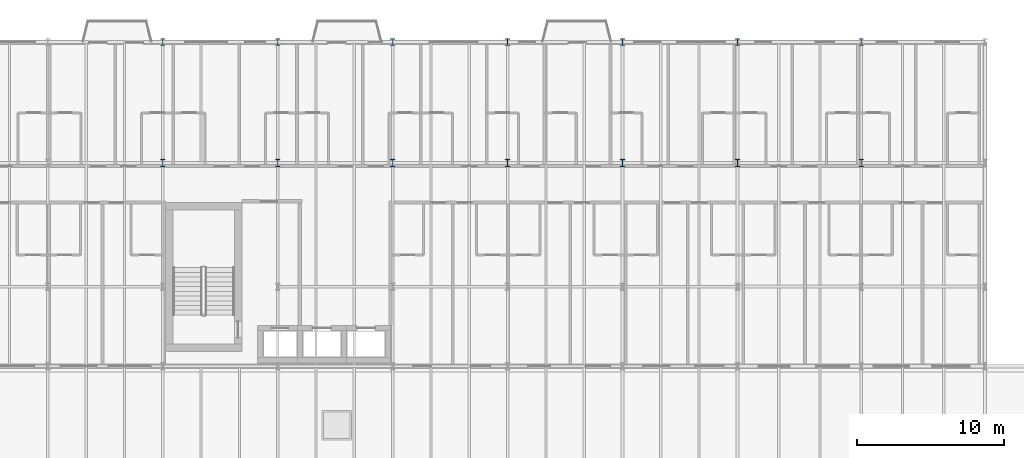
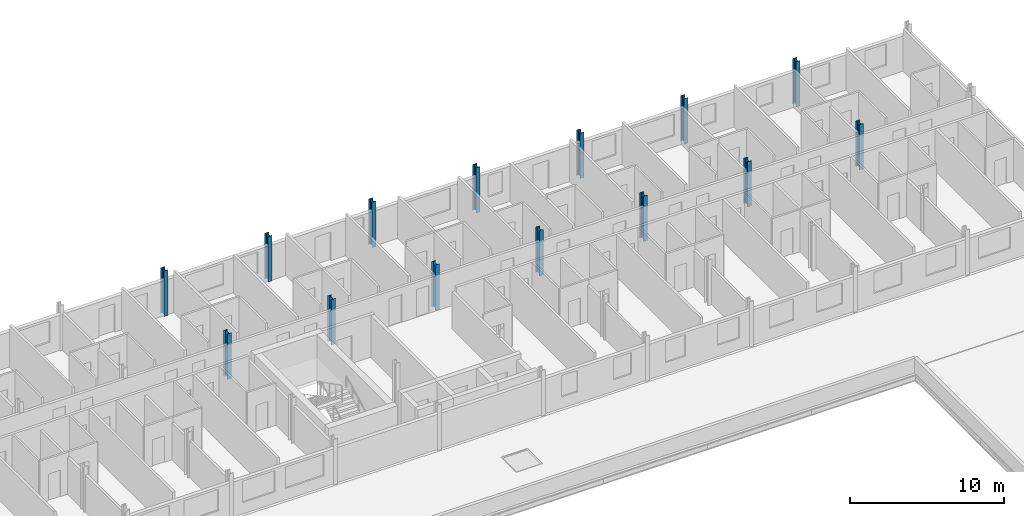
# One storey, part 6 of 36: 14 columns.
"""IFC4 building model written with IfcOpenShell, lengths in metres."""

from ifc_helpers import new_model, si_unit, direction, frame, origin, origin_2d, place, context, subcontext, project, spatial, i_section, extrude, material, material_profile, profile_set, type_object, element, save


model = new_model("IFC4")

# Units and contexts
model_context = context("Model", 3, precision=1e-05, world=origin(), true_north=direction((0.0, 1.0)))
body_context = subcontext(model_context, "Body", "Model", "MODEL_VIEW")
ifc_project = project(units=[si_unit("LENGTHUNIT", "METRE"), si_unit("AREAUNIT", "SQUARE_METRE"), si_unit("VOLUMEUNIT", "CUBIC_METRE"), si_unit("PLANEANGLEUNIT", "RADIAN"), si_unit("MASSUNIT", "GRAM", prefix="KILO")], contexts=[model_context])

# Site, building, storey
site_placement = place(None, origin())
site = spatial("IfcSite", under=ifc_project, at=site_placement, CompositionType="ELEMENT")
building_placement = place(site_placement, origin())
building = spatial("IfcBuilding", under=site, at=building_placement, Name="Sefraquen Railside Congress Hotel", CompositionType="ELEMENT")
storey_placement = place(building_placement, frame((0.0, 0.0, 24.60009765625)))
storey = spatial("IfcBuildingStorey", under=building, at=storey_placement, Name="L05", CompositionType="ELEMENT", Elevation=24.60009765625)

# Columns
ifc_material = material(Name="Steel S355JR", Category="steel")
ifc_material_profile_1 = material_profile(ifc_material, i_section(OverallWidth=0.300048828125, OverallDepth=0.449951171875, WebThickness=0.013916015625, FlangeThickness=0.02587890625, FilletRadius=0.027099609375, at=origin_2d()), Name="HEB 450")
ifc_profile_set_1 = profile_set([ifc_material_profile_1], Name="Steel S355JR")
column_type_1 = type_object("IfcColumnType", Name="TC-HEB-450", PredefinedType="COLUMN", material=ifc_profile_set_1)
for number, where, z_axis, x_axis, name in (
    (1, (64.199951171875, 118.0, 0.0), (0.0, 0.0, 1.0), (1.0, 0.0, 0.0), "Structural column 9-Q L05"),
    (2, (72.0, 118.0, 0.0), (0.0, 0.0, 1.0), (1.0, 0.0, 0.0), "Structural column 10-Q L05"),
    (3, (79.800048828125, 118.0, 0.0), (0.0, 0.0, 1.0), (1.0, 0.0, 0.0), "Structural column 11-Q L05"),
    (4, (87.60009765625, 118.0, 0.0), (0.0, 0.0, 1.0), (1.0, 0.0, 0.0), "Structural column 12-Q L05"),
    (5, (95.39990234375, 118.0, 0.0), (0.0, 0.0, 1.0), (1.0, 0.0, 0.0), "Structural column 13-Q L05"),
    (6, (103.199951171875, 118.0, 0.0), (0.0, 0.0, 1.0), (1.0, 0.0, 0.0), "Structural column 14-Q L05"),
    (7, (111.60009765625, 118.0, 0.0), (0.0, 0.0, 1.0), (1.0, 0.0, 0.0), "Structural column 15-Q L05"),
):
    element("IfcColumn", number, at=place(storey_placement, frame(where, z_axis=z_axis, x_axis=x_axis)), inside=storey, type_object=column_type_1, Name=name, PredefinedType="COLUMN", context=body_context, shape_type="SweptSolid", body=[
        extrude(i_section(OverallWidth=0.300048828125, OverallDepth=0.449951171875, WebThickness=0.013916015625, FlangeThickness=0.02587890625, FilletRadius=0.027099609375, at=origin_2d()), origin(), (0.0, 0.0, 1.0), 3.599853515625),
    ])
ifc_material_profile_2 = material_profile(ifc_material, i_section(OverallWidth=0.300048828125, OverallDepth=0.5, WebThickness=0.014404296875, FlangeThickness=0.028076171875, FilletRadius=0.027099609375, at=origin_2d()), Name="HEB 500")
ifc_profile_set_2 = profile_set([ifc_material_profile_2], Name="Steel S355JR")
column_type_2 = type_object("IfcColumnType", Name="TC-HEB-500", PredefinedType="COLUMN", material=ifc_profile_set_2)
for number, where, z_axis, x_axis, name in (
    (8, (64.199951171875, 109.800048828125, 0.0), (0.0, 0.0, 1.0), (1.0, 0.0, 0.0), "Structural column 9-P L05"),
    (9, (72.0, 109.800048828125, 0.0), (0.0, 0.0, 1.0), (1.0, 0.0, 0.0), "Structural column 10-P L05"),
    (10, (79.800048828125, 109.800048828125, 0.0), (0.0, 0.0, 1.0), (1.0, 0.0, 0.0), "Structural column 11-P L05"),
    (11, (87.60009765625, 109.800048828125, 0.0), (0.0, 0.0, 1.0), (1.0, 0.0, 0.0), "Structural column 12-P L05"),
    (12, (95.39990234375, 109.800048828125, 0.0), (0.0, 0.0, 1.0), (1.0, 0.0, 0.0), "Structural column 13-P L05"),
    (13, (103.199951171875, 109.800048828125, 0.0), (0.0, 0.0, 1.0), (1.0, 0.0, 0.0), "Structural column 14-P L05"),
    (14, (111.60009765625, 109.800048828125, 0.0), (0.0, 0.0, 1.0), (1.0, 0.0, 0.0), "Structural column 15-P L05"),
):
    element("IfcColumn", number, at=place(storey_placement, frame(where, z_axis=z_axis, x_axis=x_axis)), inside=storey, type_object=column_type_2, Name=name, PredefinedType="COLUMN", context=body_context, shape_type="SweptSolid", body=[
        extrude(i_section(OverallWidth=0.300048828125, OverallDepth=0.5, WebThickness=0.014404296875, FlangeThickness=0.028076171875, FilletRadius=0.027099609375, at=origin_2d()), origin(), (0.0, 0.0, 1.0), 3.599853515625),
    ])

save(model, "model.ifc")
